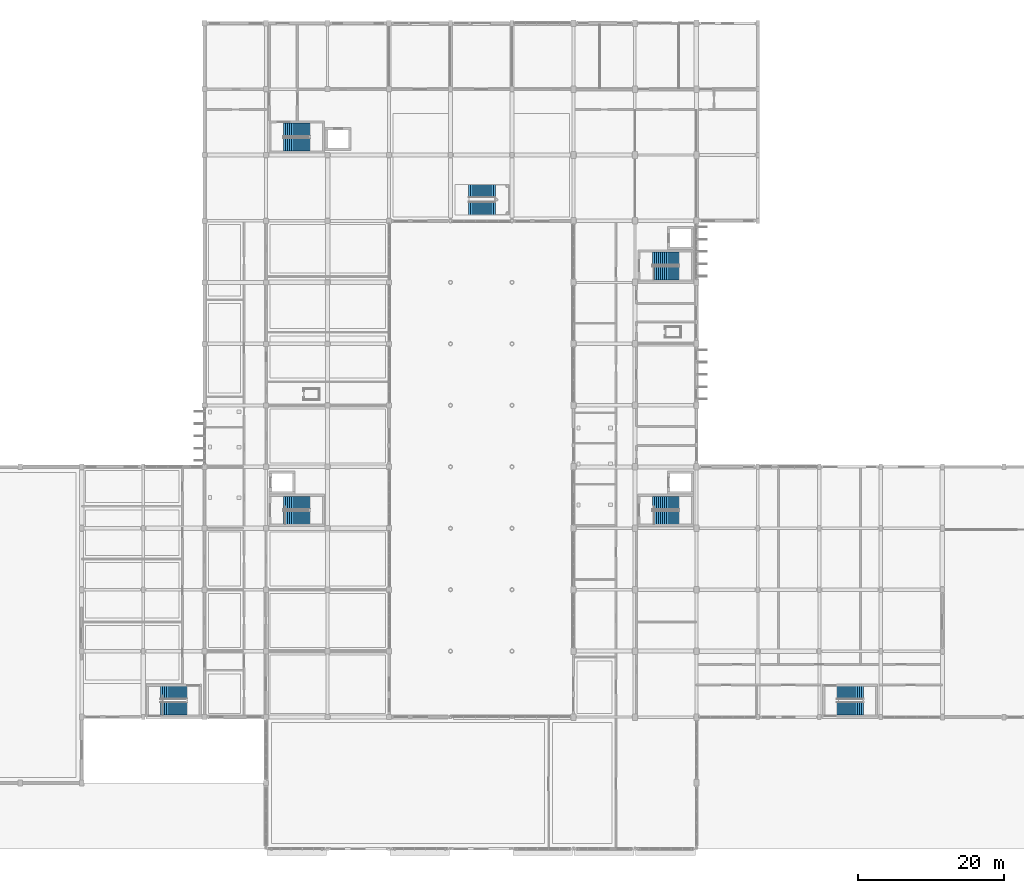
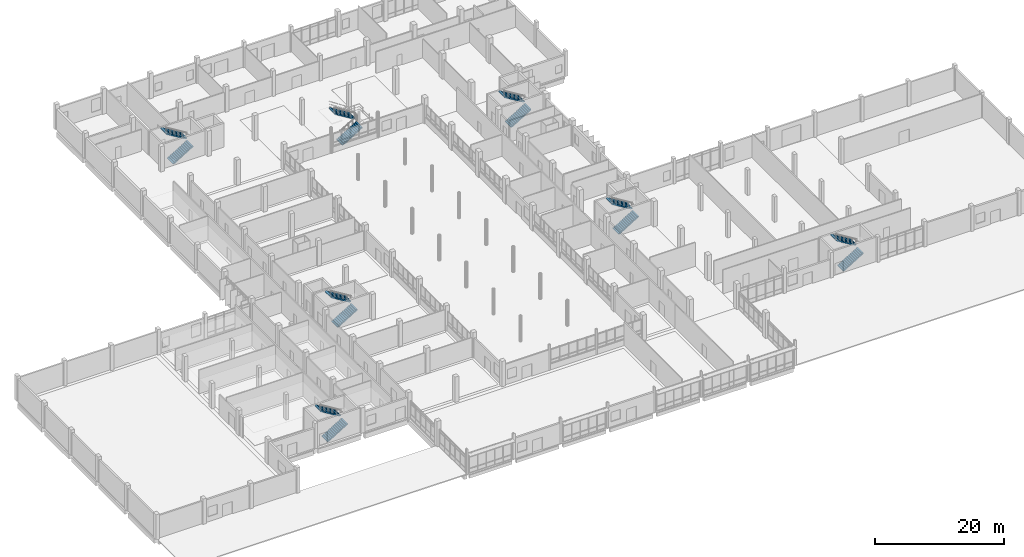
# One storey, part 84 of 95: 14 stair flights, 7 elements without a shape of their own.
"""IFC4 building model written with IfcOpenShell, lengths in metres."""

import ifcopenshell
import ifcopenshell.guid

model = None  # the IFC model being written
_history = None  # IfcOwnerHistory: only IFC2X3 demands one
_inside = {}  # id of a spatial element -> (the spatial element, [elements in it])
_under = {}  # id of a project, library or spatial element -> (it, [spatial elements below it])
_declared = {}  # id of a project -> (the project, [libraries it declares])
_typed = {}  # id of a type object -> (the type object, [elements of that type])
_made_of = {}  # id of a material, layer set ... -> (it, [elements and type objects made of it])


def new_model(schema):
    """Start an empty IFC model of exactly this schema.

    Asked for "IFC4X3", IfcOpenShell would pick the latest addendum, in which some entities
    have other attributes; the version numbers below select the first issue.
    IFC2X3 requires an IfcOwnerHistory on every rooted entity: one is made here for all.
    """
    global model, _history
    if schema == "IFC4X3":
        model = ifcopenshell.file(schema_version=(4, 3, 0, 0))
    else:
        model = ifcopenshell.file(schema=schema)
    _inside.clear()
    _under.clear()
    _declared.clear()
    _typed.clear()
    _made_of.clear()
    _history = None
    if model.schema == "IFC2X3":
        org = make("IfcOrganization", Name="unknown")
        user = make(
            "IfcPersonAndOrganization",
            ThePerson=make("IfcPerson", FamilyName="unknown"),
            TheOrganization=org,
        )
        app = make(
            "IfcApplication",
            ApplicationDeveloper=org,
            Version="unknown",
            ApplicationFullName="unknown",
            ApplicationIdentifier="unknown",
        )
        _history = make(
            "IfcOwnerHistory",
            OwningUser=user,
            OwningApplication=app,
            ChangeAction="ADDED",
            CreationDate=0,
        )
    return model


def make(cls, **values):
    """One entity of the class cls with the attributes given. An attribute that is None is left unset."""
    return model.create_entity(
        cls, **{name: value for name, value in values.items() if value is not None}
    )


def rooted(cls, **values):
    """An entity with a GlobalId (a new one), such as an element, a storey or a relation."""
    return make(cls, GlobalId=ifcopenshell.guid.new(), OwnerHistory=_history, **values)


def si_unit(unit_type, name, prefix=None):
    """IfcSIUnit, for example si_unit("LENGTHUNIT", "METRE", prefix="MILLI")."""
    return make("IfcSIUnit", UnitType=unit_type, Prefix=prefix, Name=name)


def assignment(units):
    """IfcUnitAssignment: the units of a project."""
    return None if units is None else make("IfcUnitAssignment", Units=units)


def point(xyz):
    """IfcCartesianPoint."""
    return None if xyz is None else make("IfcCartesianPoint", Coordinates=xyz)


def direction(xyz):
    """IfcDirection."""
    return None if xyz is None else make("IfcDirection", DirectionRatios=xyz)


def frame(location, z_axis=None, x_axis=None):
    """IfcAxis2Placement3D, a coordinate frame: its origin and axes. An axis left out is left unset."""
    return make(
        "IfcAxis2Placement3D",
        Location=point(location),
        Axis=direction(z_axis),
        RefDirection=direction(x_axis),
    )


def origin():
    """The frame at (0, 0, 0) with its axes left unset."""
    return frame((0.0, 0.0, 0.0))


def place(relative_to, where):
    """IfcLocalPlacement: puts the frame where relative to a parent placement (None: the world)."""
    return make(
        "IfcLocalPlacement", PlacementRelTo=relative_to, RelativePlacement=where
    )


def context(
    kind, dimensions, precision=None, world=None, true_north=None, identifier=None
):
    """IfcGeometricRepresentationContext, for example the 3D "Model" context."""
    return make(
        "IfcGeometricRepresentationContext",
        ContextIdentifier=identifier,
        ContextType=kind,
        CoordinateSpaceDimension=dimensions,
        Precision=precision,
        WorldCoordinateSystem=world,
        TrueNorth=true_north,
    )


def subcontext(parent, identifier, kind, view, scale=None):
    """IfcGeometricRepresentationSubContext, for example "Body" below "Model"."""
    return make(
        "IfcGeometricRepresentationSubContext",
        ContextIdentifier=identifier,
        ContextType=kind,
        ParentContext=parent,
        TargetScale=scale,
        TargetView=view,
    )


def project(units=None, contexts=None):
    """IfcProject with its units and contexts."""
    return rooted(
        "IfcProject",
        Name="project",
        RepresentationContexts=contexts,
        UnitsInContext=assignment(units),
    )


def spatial(cls, under=None, at=None, **own):
    """A site, building, storey or space (cls), placed at a placement, below another one or the project."""
    s = rooted(cls, ObjectPlacement=at, **own)
    if under is not None:
        _under.setdefault(under.id(), (under, []))[1].append(s)
    return s


def polyline(points):
    """IfcPolyline through the points."""
    return make("IfcPolyline", Points=[point(p) for p in points])


def outline(outer, holes=None, kind="AREA"):
    """IfcArbitraryClosedProfileDef: a profile drawn as a closed curve; with holes, ...WithVoids."""
    if holes is None:
        return make("IfcArbitraryClosedProfileDef", ProfileType=kind, OuterCurve=outer)
    return make(
        "IfcArbitraryProfileDefWithVoids",
        ProfileType=kind,
        OuterCurve=outer,
        InnerCurves=holes,
    )


def extrude(swept, where, along, depth):
    """IfcExtrudedAreaSolid: the profile swept, set in the frame where, extruded along a direction by depth."""
    return make(
        "IfcExtrudedAreaSolid",
        SweptArea=swept,
        Position=where,
        ExtrudedDirection=direction(along),
        Depth=depth,
    )


def shape(context_of_items, identifier, shape_type, items):
    """IfcShapeRepresentation: the items that make up one representation, for example the "Body"."""
    return make(
        "IfcShapeRepresentation",
        ContextOfItems=context_of_items,
        RepresentationIdentifier=identifier,
        RepresentationType=shape_type,
        Items=items,
    )


def material(Name=None, Category=None):
    """IfcMaterial."""
    return make("IfcMaterial", Name=Name, Category=Category)


def made_of(thing, what):
    """Note that an element or type object is made of a material, layer set ...; save() writes the relation."""
    if what is not None:
        _made_of.setdefault(what.id(), (what, []))[1].append(thing)
    return thing


def type_object(cls, material=None, **own):
    """A type object (cls), such as IfcWallType, which elements share."""
    return made_of(rooted(cls, **own), material)


def element(
    cls,
    number,
    at=None,
    inside=None,
    cuts=None,
    type_object=None,
    material=None,
    context=None,
    identifier="Body",
    shape_type=None,
    held_by="IfcProductDefinitionShape",
    body=None,
    shapes=None,
    **own,
):
    """One element of the class cls, such as IfcWall. Its Tag is "e" and its number.

    at: its placement. inside: the storey or other place that contains it. cuts: it is an
    opening in that element (IfcRelVoidsElement). A single representation is given by context,
    identifier, shape_type and body (its items); several are given by shapes. held_by: the class
    of the entity that holds the representations. save() writes the other relations.
    """
    e = rooted(cls, Tag="e%d" % number, ObjectPlacement=at, **own)
    if body is not None:
        shapes = [shape(context, identifier, shape_type, body)]
    if shapes is not None:
        e.Representation = make(held_by, Representations=shapes)
    if inside is not None:
        _inside.setdefault(inside.id(), (inside, []))[1].append(e)
    if cuts is not None:
        rooted(
            "IfcRelVoidsElement", RelatingBuildingElement=cuts, RelatedOpeningElement=e
        )
    if type_object is not None:
        _typed.setdefault(type_object.id(), (type_object, []))[1].append(e)
    return made_of(e, material)


def aggregate(whole, parts):
    """IfcRelAggregates: a whole, such as a stair, and the parts it consists of."""
    return rooted("IfcRelAggregates", RelatingObject=whole, RelatedObjects=parts)


def save(model, path):
    """Write the relations noted so far, then the file.

    IfcRelAggregates (storeys below a building ...), IfcRelContainedInSpatialStructure (elements
    in a storey), IfcRelDefinesByType, IfcRelAssociatesMaterial and IfcRelDeclares: one each for
    every whole, place, type object, material and project.
    """
    for whole, parts in _under.values():
        aggregate(whole, parts)
    for where, things in _inside.values():
        rooted(
            "IfcRelContainedInSpatialStructure",
            RelatedElements=things,
            RelatingStructure=where,
        )
    for kind, things in _typed.values():
        rooted("IfcRelDefinesByType", RelatedObjects=things, RelatingType=kind)
    for what, things in _made_of.values():
        rooted("IfcRelAssociatesMaterial", RelatedObjects=things, RelatingMaterial=what)
    for by, libraries in _declared.values():
        rooted("IfcRelDeclares", RelatingContext=by, RelatedDefinitions=libraries)
    model.write(path)


model = new_model("IFC4")

# Units and contexts
model_context = context("Model", 3, precision=1e-05, world=origin(), true_north=direction((0.0, 1.0)))
body_context = subcontext(model_context, "Body", "Model", "MODEL_VIEW")
ifc_project = project(units=[si_unit("LENGTHUNIT", "METRE"), si_unit("AREAUNIT", "SQUARE_METRE"), si_unit("VOLUMEUNIT", "CUBIC_METRE"), si_unit("PLANEANGLEUNIT", "RADIAN"), si_unit("MASSUNIT", "GRAM", prefix="KILO")], contexts=[model_context])

# Site, building, storey
site_placement = place(None, origin())
site = spatial("IfcSite", under=ifc_project, at=site_placement, CompositionType="ELEMENT")
building_placement = place(site_placement, origin())
building = spatial("IfcBuilding", under=site, at=building_placement, Name="Vireocrest Preparatory School", CompositionType="ELEMENT")
storey_placement = place(building_placement, origin())
storey = spatial("IfcBuildingStorey", under=building, at=storey_placement, Name="L00", CompositionType="ELEMENT", Elevation=0.0)

# Stair, stair flights
ifc_material = material(Name="Concrete 40 MPa", Category="concrete")
stair_type = type_object("IfcStairType", Name="Feature Commons Stair 4800 Rise 1800 Wide", PredefinedType="HALF_TURN_STAIR", material=ifc_material)
stair_1_placement = place(storey_placement, origin())
stair_1 = element("IfcStair", 1, at=stair_1_placement, inside=storey, type_object=stair_type, Name="Two-Run Stair ST1-L00", PredefinedType="HALF_TURN_STAIR")
stair_flight_type = type_object("IfcStairFlightType", Name="Stair Flight 2400 Rise 1800 Wide", PredefinedType="STRAIGHT", material=ifc_material)
stair_flight_1_placement = place(storey_placement, frame((52.780029296875, 45.2548828125, 0.0), z_axis=(0.0, 0.0, 1.0), x_axis=(1.0, 0.0, 0.0)))
stair_flight_1 = element("IfcStairFlight", 2, at=stair_flight_1_placement, type_object=stair_flight_type, Name="Stair Flight ST1-L00-F1", NumberOfRisers=14, NumberOfTreads=13, PredefinedType="STRAIGHT", RiserHeight=0.171428571, TreadLength=0.28, context=body_context, shape_type="SweptSolid", body=[
    extrude(outline(polyline([(0.0, 0.0), (0.0, 0.17138671875), (0.280029296875, 0.17138671875), (0.280029296875, 0.3427734375), (0.56005859375, 0.3427734375), (0.56005859375, 0.514404296875), (0.840087890625, 0.514404296875), (0.840087890625, 0.685791015625), (1.1201171875, 0.685791015625), (1.1201171875, 0.857177734375), (1.39990234375, 0.857177734375), (1.39990234375, 1.028564453125), (1.679931640625, 1.028564453125), (1.679931640625, 1.199951171875), (1.9599609375, 1.199951171875), (1.9599609375, 1.371337890625), (2.239990234375, 1.371337890625), (2.239990234375, 1.54296875), (2.52001953125, 1.54296875), (2.52001953125, 1.71435546875), (2.800048828125, 1.71435546875), (2.800048828125, 1.8857421875), (3.080078125, 1.8857421875), (3.080078125, 2.05712890625), (3.360107421875, 2.05712890625), (3.360107421875, 2.228515625), (3.639892578125, 2.228515625), (3.639892578125, 2.39990234375), (3.639892578125, 2.041015625), (0.30615234375, 0.0), (0.0, 0.0)])), frame((0.0, 0.925048828125, 0.0), z_axis=(0.0, -1.0, 0.0), x_axis=(1.0, 0.0, 0.0)), (0.0, 0.0, 1.0), 1.85009765625),
])
stair_flight_2_placement = place(storey_placement, frame((56.419921875, 47.2451171875, 2.39990234375), z_axis=(0.0, 0.0, 1.0), x_axis=(-1.0, 0.0, 0.0)))
stair_flight_2 = element("IfcStairFlight", 3, at=stair_flight_2_placement, type_object=stair_flight_type, Name="Stair Flight ST1-L00-F2", NumberOfRisers=14, NumberOfTreads=13, PredefinedType="STRAIGHT", RiserHeight=0.171428571, TreadLength=0.28, context=body_context, shape_type="SweptSolid", body=[
    extrude(outline(polyline([(0.0, 0.0), (0.0, 0.17138671875), (0.280029296875, 0.17138671875), (0.280029296875, 0.3427734375), (0.56005859375, 0.3427734375), (0.56005859375, 0.514404296875), (0.840087890625, 0.514404296875), (0.840087890625, 0.685791015625), (1.1201171875, 0.685791015625), (1.1201171875, 0.857177734375), (1.39990234375, 0.857177734375), (1.39990234375, 1.028564453125), (1.679931640625, 1.028564453125), (1.679931640625, 1.199951171875), (1.9599609375, 1.199951171875), (1.9599609375, 1.371337890625), (2.239990234375, 1.371337890625), (2.239990234375, 1.54296875), (2.52001953125, 1.54296875), (2.52001953125, 1.71435546875), (2.800048828125, 1.71435546875), (2.800048828125, 1.8857421875), (3.080078125, 1.8857421875), (3.080078125, 2.05712890625), (3.360107421875, 2.05712890625), (3.360107421875, 2.228515625), (3.639892578125, 2.228515625), (3.639892578125, 2.39990234375), (3.639892578125, 2.041015625), (0.30615234375, 0.0), (0.0, 0.0)])), frame((0.0, 0.925048828125, 0.0), z_axis=(0.0, -1.0, 0.0), x_axis=(1.0, 0.0, 0.0)), (0.0, 0.0, 1.0), 1.85009765625),
])
aggregate(stair_1, [stair_flight_1, stair_flight_2])

stair_2_placement = place(storey_placement, origin())
stair_2 = element("IfcStair", 4, at=stair_2_placement, inside=storey, type_object=stair_type, Name="Two-Run Stair ST2-L00", PredefinedType="HALF_TURN_STAIR")
stair_flight_3_placement = place(storey_placement, frame((103.179931640625, 45.2548828125, 0.0), z_axis=(0.0, 0.0, 1.0), x_axis=(1.0, 0.0, 0.0)))
stair_flight_3 = element("IfcStairFlight", 5, at=stair_flight_3_placement, type_object=stair_flight_type, Name="Stair Flight ST2-L00-F1", NumberOfRisers=14, NumberOfTreads=13, PredefinedType="STRAIGHT", RiserHeight=0.171428571, TreadLength=0.28, context=body_context, shape_type="SweptSolid", body=[
    extrude(outline(polyline([(0.0, 0.0), (0.0, 0.17138671875), (0.280029296875, 0.17138671875), (0.280029296875, 0.3427734375), (0.56005859375, 0.3427734375), (0.56005859375, 0.514404296875), (0.840087890625, 0.514404296875), (0.840087890625, 0.685791015625), (1.1201171875, 0.685791015625), (1.1201171875, 0.857177734375), (1.39990234375, 0.857177734375), (1.39990234375, 1.028564453125), (1.679931640625, 1.028564453125), (1.679931640625, 1.199951171875), (1.9599609375, 1.199951171875), (1.9599609375, 1.371337890625), (2.239990234375, 1.371337890625), (2.239990234375, 1.54296875), (2.52001953125, 1.54296875), (2.52001953125, 1.71435546875), (2.800048828125, 1.71435546875), (2.800048828125, 1.8857421875), (3.080078125, 1.8857421875), (3.080078125, 2.05712890625), (3.360107421875, 2.05712890625), (3.360107421875, 2.228515625), (3.639892578125, 2.228515625), (3.639892578125, 2.39990234375), (3.639892578125, 2.041015625), (0.30615234375, 0.0), (0.0, 0.0)])), frame((0.0, 0.925048828125, 0.0), z_axis=(0.0, -1.0, 0.0), x_axis=(1.0, 0.0, 0.0)), (0.0, 0.0, 1.0), 1.85009765625),
])
stair_flight_4_placement = place(storey_placement, frame((106.820068359375, 47.2451171875, 2.39990234375), z_axis=(0.0, 0.0, 1.0), x_axis=(-1.0, 0.0, 0.0)))
stair_flight_4 = element("IfcStairFlight", 6, at=stair_flight_4_placement, type_object=stair_flight_type, Name="Stair Flight ST2-L00-F2", NumberOfRisers=14, NumberOfTreads=13, PredefinedType="STRAIGHT", RiserHeight=0.171428571, TreadLength=0.28, context=body_context, shape_type="SweptSolid", body=[
    extrude(outline(polyline([(0.0, 0.0), (0.0, 0.17138671875), (0.280029296875, 0.17138671875), (0.280029296875, 0.3427734375), (0.56005859375, 0.3427734375), (0.56005859375, 0.514404296875), (0.840087890625, 0.514404296875), (0.840087890625, 0.685791015625), (1.1201171875, 0.685791015625), (1.1201171875, 0.857177734375), (1.39990234375, 0.857177734375), (1.39990234375, 1.028564453125), (1.679931640625, 1.028564453125), (1.679931640625, 1.199951171875), (1.9599609375, 1.199951171875), (1.9599609375, 1.371337890625), (2.239990234375, 1.371337890625), (2.239990234375, 1.54296875), (2.52001953125, 1.54296875), (2.52001953125, 1.71435546875), (2.800048828125, 1.71435546875), (2.800048828125, 1.8857421875), (3.080078125, 1.8857421875), (3.080078125, 2.05712890625), (3.360107421875, 2.05712890625), (3.360107421875, 2.228515625), (3.639892578125, 2.228515625), (3.639892578125, 2.39990234375), (3.639892578125, 2.041015625), (0.30615234375, 0.0), (0.0, 0.0)])), frame((0.0, 0.925048828125, 0.0), z_axis=(0.0, -1.0, 0.0), x_axis=(1.0, 0.0, 0.0)), (0.0, 0.0, 1.0), 1.85009765625),
])
aggregate(stair_2, [stair_flight_3, stair_flight_4])

stair_3_placement = place(storey_placement, origin())
stair_3 = element("IfcStair", 7, at=stair_3_placement, inside=storey, type_object=stair_type, Name="Two-Run Stair ST3-L00", PredefinedType="HALF_TURN_STAIR")
stair_flight_5_placement = place(storey_placement, frame((52.780029296875, 96.2548828125, 0.0), z_axis=(0.0, 0.0, 1.0), x_axis=(1.0, 0.0, 0.0)))
stair_flight_5 = element("IfcStairFlight", 8, at=stair_flight_5_placement, type_object=stair_flight_type, Name="Stair Flight ST3-L00-F1", NumberOfRisers=14, NumberOfTreads=13, PredefinedType="STRAIGHT", RiserHeight=0.171428571, TreadLength=0.28, context=body_context, shape_type="SweptSolid", body=[
    extrude(outline(polyline([(0.0, 0.0), (0.0, 0.17138671875), (0.280029296875, 0.17138671875), (0.280029296875, 0.3427734375), (0.56005859375, 0.3427734375), (0.56005859375, 0.514404296875), (0.840087890625, 0.514404296875), (0.840087890625, 0.685791015625), (1.1201171875, 0.685791015625), (1.1201171875, 0.857177734375), (1.39990234375, 0.857177734375), (1.39990234375, 1.028564453125), (1.679931640625, 1.028564453125), (1.679931640625, 1.199951171875), (1.9599609375, 1.199951171875), (1.9599609375, 1.371337890625), (2.239990234375, 1.371337890625), (2.239990234375, 1.54296875), (2.52001953125, 1.54296875), (2.52001953125, 1.71435546875), (2.800048828125, 1.71435546875), (2.800048828125, 1.8857421875), (3.080078125, 1.8857421875), (3.080078125, 2.05712890625), (3.360107421875, 2.05712890625), (3.360107421875, 2.228515625), (3.639892578125, 2.228515625), (3.639892578125, 2.39990234375), (3.639892578125, 2.041015625), (0.30615234375, 0.0), (0.0, 0.0)])), frame((0.0, 0.925048828125, 0.0), z_axis=(0.0, -1.0, 0.0), x_axis=(1.0, 0.0, 0.0)), (0.0, 0.0, 1.0), 1.85009765625),
])
stair_flight_6_placement = place(storey_placement, frame((56.419921875, 98.2451171875, 2.39990234375), z_axis=(0.0, 0.0, 1.0), x_axis=(-1.0, 0.0, 0.0)))
stair_flight_6 = element("IfcStairFlight", 9, at=stair_flight_6_placement, type_object=stair_flight_type, Name="Stair Flight ST3-L00-F2", NumberOfRisers=14, NumberOfTreads=13, PredefinedType="STRAIGHT", RiserHeight=0.171428571, TreadLength=0.28, context=body_context, shape_type="SweptSolid", body=[
    extrude(outline(polyline([(0.0, 0.0), (0.0, 0.17138671875), (0.280029296875, 0.17138671875), (0.280029296875, 0.3427734375), (0.56005859375, 0.3427734375), (0.56005859375, 0.514404296875), (0.840087890625, 0.514404296875), (0.840087890625, 0.685791015625), (1.1201171875, 0.685791015625), (1.1201171875, 0.857177734375), (1.39990234375, 0.857177734375), (1.39990234375, 1.028564453125), (1.679931640625, 1.028564453125), (1.679931640625, 1.199951171875), (1.9599609375, 1.199951171875), (1.9599609375, 1.371337890625), (2.239990234375, 1.371337890625), (2.239990234375, 1.54296875), (2.52001953125, 1.54296875), (2.52001953125, 1.71435546875), (2.800048828125, 1.71435546875), (2.800048828125, 1.8857421875), (3.080078125, 1.8857421875), (3.080078125, 2.05712890625), (3.360107421875, 2.05712890625), (3.360107421875, 2.228515625), (3.639892578125, 2.228515625), (3.639892578125, 2.39990234375), (3.639892578125, 2.041015625), (0.30615234375, 0.0), (0.0, 0.0)])), frame((0.0, 0.925048828125, 0.0), z_axis=(0.0, -1.0, 0.0), x_axis=(1.0, 0.0, 0.0)), (0.0, 0.0, 1.0), 1.85009765625),
])
aggregate(stair_3, [stair_flight_5, stair_flight_6])

stair_4_placement = place(storey_placement, origin())
stair_4 = element("IfcStair", 10, at=stair_4_placement, inside=storey, type_object=stair_type, Name="Two-Run Stair ST4-L00", PredefinedType="HALF_TURN_STAIR")
stair_flight_7_placement = place(storey_placement, frame((103.179931640625, 78.655029296875, 0.0), z_axis=(0.0, 0.0, 1.0), x_axis=(1.0, 0.0, 0.0)))
stair_flight_7 = element("IfcStairFlight", 11, at=stair_flight_7_placement, type_object=stair_flight_type, Name="Stair Flight ST4-L00-F1", NumberOfRisers=14, NumberOfTreads=13, PredefinedType="STRAIGHT", RiserHeight=0.171428571, TreadLength=0.28, context=body_context, shape_type="SweptSolid", body=[
    extrude(outline(polyline([(0.0, 0.0), (0.0, 0.17138671875), (0.280029296875, 0.17138671875), (0.280029296875, 0.3427734375), (0.56005859375, 0.3427734375), (0.56005859375, 0.514404296875), (0.840087890625, 0.514404296875), (0.840087890625, 0.685791015625), (1.1201171875, 0.685791015625), (1.1201171875, 0.857177734375), (1.39990234375, 0.857177734375), (1.39990234375, 1.028564453125), (1.679931640625, 1.028564453125), (1.679931640625, 1.199951171875), (1.9599609375, 1.199951171875), (1.9599609375, 1.371337890625), (2.239990234375, 1.371337890625), (2.239990234375, 1.54296875), (2.52001953125, 1.54296875), (2.52001953125, 1.71435546875), (2.800048828125, 1.71435546875), (2.800048828125, 1.8857421875), (3.080078125, 1.8857421875), (3.080078125, 2.05712890625), (3.360107421875, 2.05712890625), (3.360107421875, 2.228515625), (3.639892578125, 2.228515625), (3.639892578125, 2.39990234375), (3.639892578125, 2.041015625), (0.30615234375, 0.0), (0.0, 0.0)])), frame((0.0, 0.925048828125, 0.0), z_axis=(0.0, -1.0, 0.0), x_axis=(1.0, 0.0, 0.0)), (0.0, 0.0, 1.0), 1.85009765625),
])
stair_flight_8_placement = place(storey_placement, frame((106.820068359375, 80.64501953125, 2.39990234375), z_axis=(0.0, 0.0, 1.0), x_axis=(-1.0, 0.0, 0.0)))
stair_flight_8 = element("IfcStairFlight", 12, at=stair_flight_8_placement, type_object=stair_flight_type, Name="Stair Flight ST4-L00-F2", NumberOfRisers=14, NumberOfTreads=13, PredefinedType="STRAIGHT", RiserHeight=0.171428571, TreadLength=0.28, context=body_context, shape_type="SweptSolid", body=[
    extrude(outline(polyline([(0.0, 0.0), (0.0, 0.17138671875), (0.280029296875, 0.17138671875), (0.280029296875, 0.3427734375), (0.56005859375, 0.3427734375), (0.56005859375, 0.514404296875), (0.840087890625, 0.514404296875), (0.840087890625, 0.685791015625), (1.1201171875, 0.685791015625), (1.1201171875, 0.857177734375), (1.39990234375, 0.857177734375), (1.39990234375, 1.028564453125), (1.679931640625, 1.028564453125), (1.679931640625, 1.199951171875), (1.9599609375, 1.199951171875), (1.9599609375, 1.371337890625), (2.239990234375, 1.371337890625), (2.239990234375, 1.54296875), (2.52001953125, 1.54296875), (2.52001953125, 1.71435546875), (2.800048828125, 1.71435546875), (2.800048828125, 1.8857421875), (3.080078125, 1.8857421875), (3.080078125, 2.05712890625), (3.360107421875, 2.05712890625), (3.360107421875, 2.228515625), (3.639892578125, 2.228515625), (3.639892578125, 2.39990234375), (3.639892578125, 2.041015625), (0.30615234375, 0.0), (0.0, 0.0)])), frame((0.0, 0.925048828125, 0.0), z_axis=(0.0, -1.0, 0.0), x_axis=(1.0, 0.0, 0.0)), (0.0, 0.0, 1.0), 1.85009765625),
])
aggregate(stair_4, [stair_flight_7, stair_flight_8])

stair_5_placement = place(storey_placement, origin())
stair_5 = element("IfcStair", 13, at=stair_5_placement, inside=storey, type_object=stair_type, Name="Two-Run Stair ST5-L00", PredefinedType="HALF_TURN_STAIR")
stair_flight_9_placement = place(storey_placement, frame((35.97998046875, 19.179931640625, 0.0), z_axis=(0.0, 0.0, 1.0), x_axis=(1.0, 0.0, 0.0)))
stair_flight_9 = element("IfcStairFlight", 14, at=stair_flight_9_placement, type_object=stair_flight_type, Name="Stair Flight ST5-L00-F1", NumberOfRisers=14, NumberOfTreads=13, PredefinedType="STRAIGHT", RiserHeight=0.171428571, TreadLength=0.28, context=body_context, shape_type="SweptSolid", body=[
    extrude(outline(polyline([(0.0, 0.0), (0.0, 0.17138671875), (0.280029296875, 0.17138671875), (0.280029296875, 0.3427734375), (0.56005859375, 0.3427734375), (0.56005859375, 0.514404296875), (0.840087890625, 0.514404296875), (0.840087890625, 0.685791015625), (1.1201171875, 0.685791015625), (1.1201171875, 0.857177734375), (1.39990234375, 0.857177734375), (1.39990234375, 1.028564453125), (1.679931640625, 1.028564453125), (1.679931640625, 1.199951171875), (1.9599609375, 1.199951171875), (1.9599609375, 1.371337890625), (2.239990234375, 1.371337890625), (2.239990234375, 1.54296875), (2.52001953125, 1.54296875), (2.52001953125, 1.71435546875), (2.800048828125, 1.71435546875), (2.800048828125, 1.8857421875), (3.080078125, 1.8857421875), (3.080078125, 2.05712890625), (3.360107421875, 2.05712890625), (3.360107421875, 2.228515625), (3.639892578125, 2.228515625), (3.639892578125, 2.39990234375), (3.639892578125, 2.041015625), (0.30615234375, 0.0), (0.0, 0.0)])), frame((0.0, 0.89990234375, 0.0), z_axis=(0.0, -1.0, 0.0), x_axis=(1.0, 0.0, 0.0)), (0.0, 0.0, 1.0), 1.800048828125),
])
stair_flight_10_placement = place(storey_placement, frame((39.6201171875, 21.320068359375, 2.39990234375), z_axis=(0.0, 0.0, 1.0), x_axis=(-1.0, 0.0, 0.0)))
stair_flight_10 = element("IfcStairFlight", 15, at=stair_flight_10_placement, type_object=stair_flight_type, Name="Stair Flight ST5-L00-F2", NumberOfRisers=14, NumberOfTreads=13, PredefinedType="STRAIGHT", RiserHeight=0.171428571, TreadLength=0.28, context=body_context, shape_type="SweptSolid", body=[
    extrude(outline(polyline([(0.0, 0.0), (0.0, 0.17138671875), (0.280029296875, 0.17138671875), (0.280029296875, 0.3427734375), (0.56005859375, 0.3427734375), (0.56005859375, 0.514404296875), (0.840087890625, 0.514404296875), (0.840087890625, 0.685791015625), (1.1201171875, 0.685791015625), (1.1201171875, 0.857177734375), (1.39990234375, 0.857177734375), (1.39990234375, 1.028564453125), (1.679931640625, 1.028564453125), (1.679931640625, 1.199951171875), (1.9599609375, 1.199951171875), (1.9599609375, 1.371337890625), (2.239990234375, 1.371337890625), (2.239990234375, 1.54296875), (2.52001953125, 1.54296875), (2.52001953125, 1.71435546875), (2.800048828125, 1.71435546875), (2.800048828125, 1.8857421875), (3.080078125, 1.8857421875), (3.080078125, 2.05712890625), (3.360107421875, 2.05712890625), (3.360107421875, 2.228515625), (3.639892578125, 2.228515625), (3.639892578125, 2.39990234375), (3.639892578125, 2.041015625), (0.30615234375, 0.0), (0.0, 0.0)])), frame((0.0, 0.89990234375, 0.0), z_axis=(0.0, -1.0, 0.0), x_axis=(1.0, 0.0, 0.0)), (0.0, 0.0, 1.0), 1.800048828125),
])
aggregate(stair_5, [stair_flight_9, stair_flight_10])

stair_6_placement = place(storey_placement, origin())
stair_6 = element("IfcStair", 16, at=stair_6_placement, inside=storey, type_object=stair_type, Name="Two-Run Stair ST6-L00", PredefinedType="HALF_TURN_STAIR")
stair_flight_11_placement = place(storey_placement, frame((128.3798828125, 19.179931640625, 0.0), z_axis=(0.0, 0.0, 1.0), x_axis=(1.0, 0.0, 0.0)))
stair_flight_11 = element("IfcStairFlight", 17, at=stair_flight_11_placement, type_object=stair_flight_type, Name="Stair Flight ST6-L00-F1", NumberOfRisers=14, NumberOfTreads=13, PredefinedType="STRAIGHT", RiserHeight=0.171428571, TreadLength=0.28, context=body_context, shape_type="SweptSolid", body=[
    extrude(outline(polyline([(0.0, 0.0), (0.0, 0.17138671875), (0.280029296875, 0.17138671875), (0.280029296875, 0.3427734375), (0.56005859375, 0.3427734375), (0.56005859375, 0.514404296875), (0.840087890625, 0.514404296875), (0.840087890625, 0.685791015625), (1.1201171875, 0.685791015625), (1.1201171875, 0.857177734375), (1.39990234375, 0.857177734375), (1.39990234375, 1.028564453125), (1.679931640625, 1.028564453125), (1.679931640625, 1.199951171875), (1.9599609375, 1.199951171875), (1.9599609375, 1.371337890625), (2.239990234375, 1.371337890625), (2.239990234375, 1.54296875), (2.52001953125, 1.54296875), (2.52001953125, 1.71435546875), (2.800048828125, 1.71435546875), (2.800048828125, 1.8857421875), (3.080078125, 1.8857421875), (3.080078125, 2.05712890625), (3.360107421875, 2.05712890625), (3.360107421875, 2.228515625), (3.639892578125, 2.228515625), (3.639892578125, 2.39990234375), (3.639892578125, 2.041015625), (0.30615234375, 0.0), (0.0, 0.0)])), frame((0.0, 0.89990234375, 0.0), z_axis=(0.0, -1.0, 0.0), x_axis=(1.0, 0.0, 0.0)), (0.0, 0.0, 1.0), 1.800048828125),
])
stair_flight_12_placement = place(storey_placement, frame((132.02001953125, 21.320068359375, 2.39990234375), z_axis=(0.0, 0.0, 1.0), x_axis=(-1.0, 0.0, 0.0)))
stair_flight_12 = element("IfcStairFlight", 18, at=stair_flight_12_placement, type_object=stair_flight_type, Name="Stair Flight ST6-L00-F2", NumberOfRisers=14, NumberOfTreads=13, PredefinedType="STRAIGHT", RiserHeight=0.171428571, TreadLength=0.28, context=body_context, shape_type="SweptSolid", body=[
    extrude(outline(polyline([(0.0, 0.0), (0.0, 0.17138671875), (0.280029296875, 0.17138671875), (0.280029296875, 0.3427734375), (0.56005859375, 0.3427734375), (0.56005859375, 0.514404296875), (0.840087890625, 0.514404296875), (0.840087890625, 0.685791015625), (1.1201171875, 0.685791015625), (1.1201171875, 0.857177734375), (1.39990234375, 0.857177734375), (1.39990234375, 1.028564453125), (1.679931640625, 1.028564453125), (1.679931640625, 1.199951171875), (1.9599609375, 1.199951171875), (1.9599609375, 1.371337890625), (2.239990234375, 1.371337890625), (2.239990234375, 1.54296875), (2.52001953125, 1.54296875), (2.52001953125, 1.71435546875), (2.800048828125, 1.71435546875), (2.800048828125, 1.8857421875), (3.080078125, 1.8857421875), (3.080078125, 2.05712890625), (3.360107421875, 2.05712890625), (3.360107421875, 2.228515625), (3.639892578125, 2.228515625), (3.639892578125, 2.39990234375), (3.639892578125, 2.041015625), (0.30615234375, 0.0), (0.0, 0.0)])), frame((0.0, 0.89990234375, 0.0), z_axis=(0.0, -1.0, 0.0), x_axis=(1.0, 0.0, 0.0)), (0.0, 0.0, 1.0), 1.800048828125),
])
aggregate(stair_6, [stair_flight_11, stair_flight_12])

stair_7_placement = place(storey_placement, origin())
stair_7 = element("IfcStair", 19, at=stair_7_placement, inside=storey, type_object=stair_type, Name="Two-Run Stair ST7-L00", PredefinedType="HALF_TURN_STAIR")
stair_flight_13_placement = place(storey_placement, frame((78.080078125, 87.52001953125, 0.0), z_axis=(0.0, 0.0, 1.0), x_axis=(1.0, 0.0, 0.0)))
stair_flight_13 = element("IfcStairFlight", 20, at=stair_flight_13_placement, type_object=stair_flight_type, Name="Stair Flight ST7-L00-F1", NumberOfRisers=14, NumberOfTreads=13, PredefinedType="STRAIGHT", RiserHeight=0.171428571, TreadLength=0.28, context=body_context, shape_type="SweptSolid", body=[
    extrude(outline(polyline([(0.0, 0.0), (0.0, 0.17138671875), (0.280029296875, 0.17138671875), (0.280029296875, 0.3427734375), (0.56005859375, 0.3427734375), (0.56005859375, 0.514404296875), (0.840087890625, 0.514404296875), (0.840087890625, 0.685791015625), (1.1201171875, 0.685791015625), (1.1201171875, 0.857177734375), (1.39990234375, 0.857177734375), (1.39990234375, 1.028564453125), (1.679931640625, 1.028564453125), (1.679931640625, 1.199951171875), (1.9599609375, 1.199951171875), (1.9599609375, 1.371337890625), (2.239990234375, 1.371337890625), (2.239990234375, 1.54296875), (2.52001953125, 1.54296875), (2.52001953125, 1.71435546875), (2.800048828125, 1.71435546875), (2.800048828125, 1.8857421875), (3.080078125, 1.8857421875), (3.080078125, 2.05712890625), (3.360107421875, 2.05712890625), (3.360107421875, 2.228515625), (3.639892578125, 2.228515625), (3.639892578125, 2.39990234375), (3.639892578125, 2.041015625), (0.30615234375, 0.0), (0.0, 0.0)])), frame((0.0, 0.89990234375, 0.0), z_axis=(0.0, -1.0, 0.0), x_axis=(1.0, 0.0, 0.0)), (0.0, 0.0, 1.0), 1.800048828125),
])
stair_flight_14_placement = place(storey_placement, frame((81.719970703125, 89.8798828125, 2.39990234375), z_axis=(0.0, 0.0, 1.0), x_axis=(-1.0, 0.0, 0.0)))
stair_flight_14 = element("IfcStairFlight", 21, at=stair_flight_14_placement, type_object=stair_flight_type, Name="Stair Flight ST7-L00-F2", NumberOfRisers=14, NumberOfTreads=13, PredefinedType="STRAIGHT", RiserHeight=0.171428571, TreadLength=0.28, context=body_context, shape_type="SweptSolid", body=[
    extrude(outline(polyline([(0.0, 0.0), (0.0, 0.17138671875), (0.280029296875, 0.17138671875), (0.280029296875, 0.3427734375), (0.56005859375, 0.3427734375), (0.56005859375, 0.514404296875), (0.840087890625, 0.514404296875), (0.840087890625, 0.685791015625), (1.1201171875, 0.685791015625), (1.1201171875, 0.857177734375), (1.39990234375, 0.857177734375), (1.39990234375, 1.028564453125), (1.679931640625, 1.028564453125), (1.679931640625, 1.199951171875), (1.9599609375, 1.199951171875), (1.9599609375, 1.371337890625), (2.239990234375, 1.371337890625), (2.239990234375, 1.54296875), (2.52001953125, 1.54296875), (2.52001953125, 1.71435546875), (2.800048828125, 1.71435546875), (2.800048828125, 1.8857421875), (3.080078125, 1.8857421875), (3.080078125, 2.05712890625), (3.360107421875, 2.05712890625), (3.360107421875, 2.228515625), (3.639892578125, 2.228515625), (3.639892578125, 2.39990234375), (3.639892578125, 2.041015625), (0.30615234375, 0.0), (0.0, 0.0)])), frame((0.0, 0.89990234375, 0.0), z_axis=(0.0, -1.0, 0.0), x_axis=(1.0, 0.0, 0.0)), (0.0, 0.0, 1.0), 1.800048828125),
])
aggregate(stair_7, [stair_flight_13, stair_flight_14])

save(model, "model.ifc")
